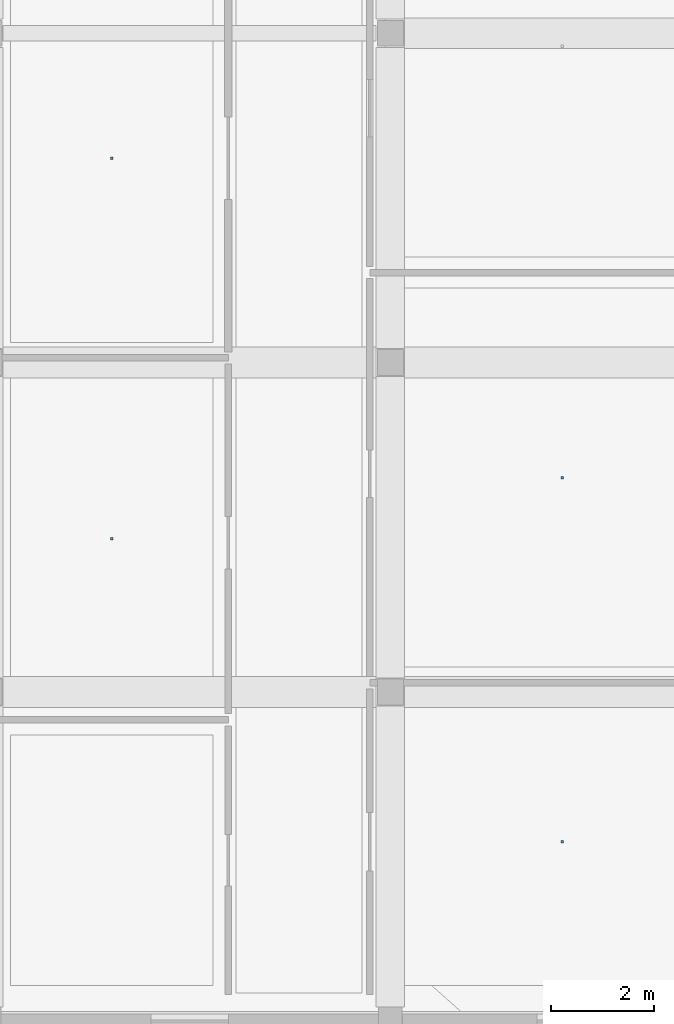
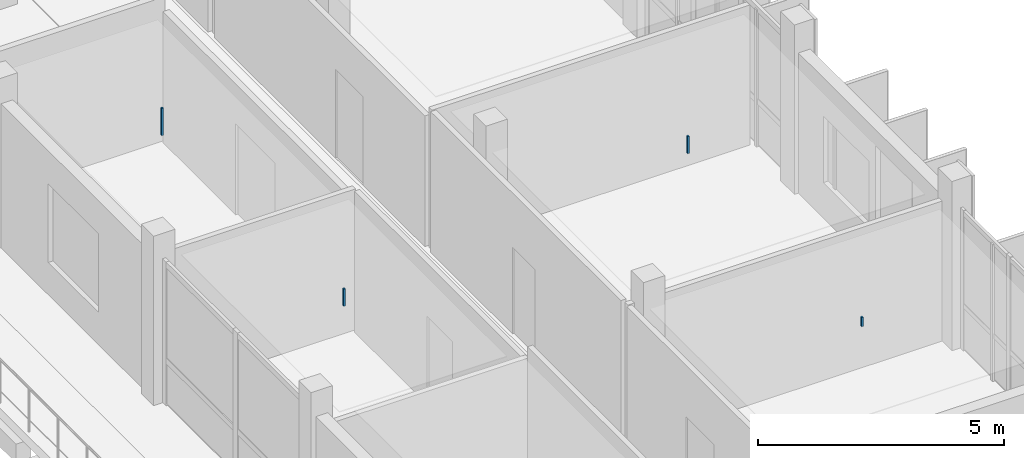
# One storey, part 65 of 85: 4 discrete accessories.
"""IFC4 building model written with IfcOpenShell, lengths in metres."""

from ifc_helpers import new_model, si_unit, derived_unit, direction, frame, origin, origin_2d, place, context, subcontext, project, spatial, rectangle, extrude, material, type_object, element, save


model = new_model("IFC4")

# Units and contexts
model_context = context("Model", 3, precision=1e-05, world=origin(), true_north=direction((0.0, 1.0)))
body_context = subcontext(model_context, "Body", "Model", "MODEL_VIEW")
ifc_project = project(units=[si_unit("LENGTHUNIT", "METRE"), si_unit("AREAUNIT", "SQUARE_METRE"), si_unit("VOLUMEUNIT", "CUBIC_METRE"), si_unit("PLANEANGLEUNIT", "RADIAN"), si_unit("MASSUNIT", "GRAM", prefix="KILO"), derived_unit("THERMALTRANSMITTANCEUNIT", [(si_unit("POWERUNIT", "WATT"), 1), (si_unit("LENGTHUNIT", "METRE"), -2), (si_unit("THERMODYNAMICTEMPERATUREUNIT", "KELVIN"), -1)])], contexts=[model_context])

# Site, building, storey
site_placement = place(None, origin())
site = spatial("IfcSite", under=ifc_project, at=site_placement, CompositionType="ELEMENT")
building_placement = place(site_placement, origin())
building = spatial("IfcBuilding", under=site, at=building_placement, Name="Braskholm Square Health Centre", CompositionType="ELEMENT")
storey_placement = place(building_placement, frame((0.0, 0.0, 9.300048828125)))
storey = spatial("IfcBuildingStorey", under=building, at=storey_placement, Name="L03", CompositionType="ELEMENT", Elevation=9.300048828125)

# Discrete accessories
ifc_material = material(Name="Steel ASTM A500 Grade C", Category="steel")
discrete_accessory_type = type_object("IfcDiscreteAccessoryType", Name="CeilingSuspensionBracket", PredefinedType="BRACKET", material=ifc_material)
discrete_accessory_1_placement = place(storey_placement, frame((159.93994140625, 7.68994140625, 3.48193359375), z_axis=(0.0, 0.0, 1.0), x_axis=(1.0, 0.0, 0.0)))
element("IfcDiscreteAccessory", 1, at=discrete_accessory_1_placement, inside=storey, type_object=discrete_accessory_type, Name="Ceiling hanger bracket 0151", PredefinedType="BRACKET", context=body_context, shape_type="SweptSolid", body=[
    extrude(rectangle(XDim=0.044921875, YDim=0.044921875, at=origin_2d()), origin(), (0.0, 0.0, 1.0), 0.22998046875),
])
for number, where, z_axis, x_axis, name in (
    (2, (159.93994140625, 14.764892578125, 3.48193359375), (0.0, 0.0, 1.0), (1.0, 0.0, 0.0), "Ceiling hanger bracket 0152"),
    (3, (151.18505859375, 13.574951171875, 3.48193359375), (0.0, 0.0, 1.0), (1.0, 0.0, 0.0), "Ceiling hanger bracket 0165"),
):
    element("IfcDiscreteAccessory", number, at=place(storey_placement, frame(where, z_axis=z_axis, x_axis=x_axis)), inside=storey, type_object=discrete_accessory_type, Name=name, PredefinedType="BRACKET", context=body_context, shape_type="SweptSolid", body=[
        extrude(rectangle(XDim=0.044921875, YDim=0.044921875, at=origin_2d()), origin(), (0.0, 0.0, 1.0), 0.429931640625),
    ])
discrete_accessory_2_placement = place(storey_placement, frame((151.18505859375, 20.969970703125, 3.23193359375), z_axis=(0.0, 0.0, 1.0), x_axis=(1.0, 0.0, 0.0)))
element("IfcDiscreteAccessory", 4, at=discrete_accessory_2_placement, inside=storey, type_object=discrete_accessory_type, Name="Ceiling hanger bracket 0166", PredefinedType="BRACKET", context=body_context, shape_type="SweptSolid", body=[
    extrude(rectangle(XDim=0.044921875, YDim=0.044921875, at=origin_2d()), origin(), (0.0, 0.0, 1.0), 0.679931640625),
])

save(model, "model.ifc")
